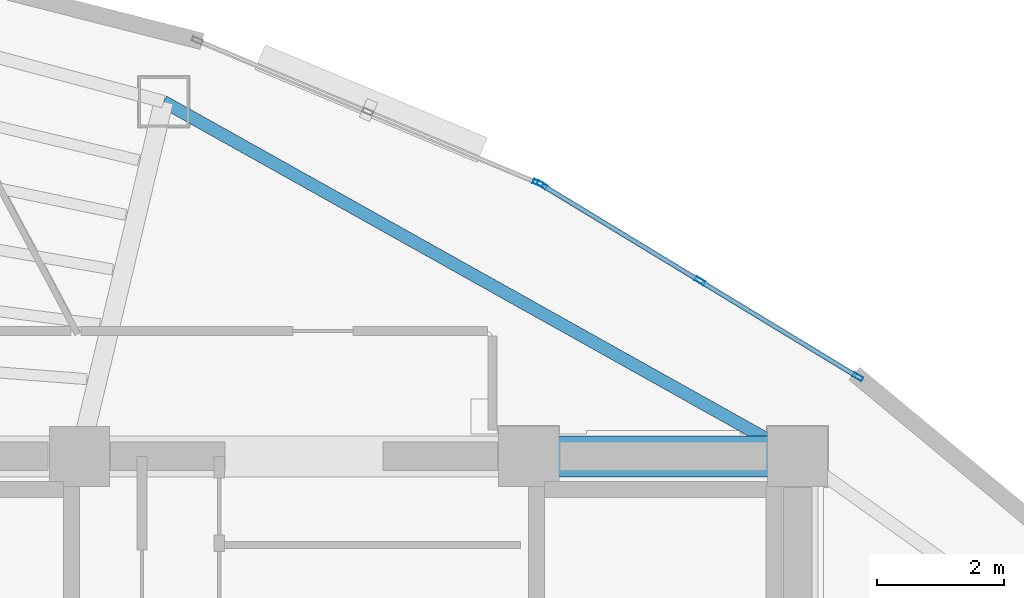
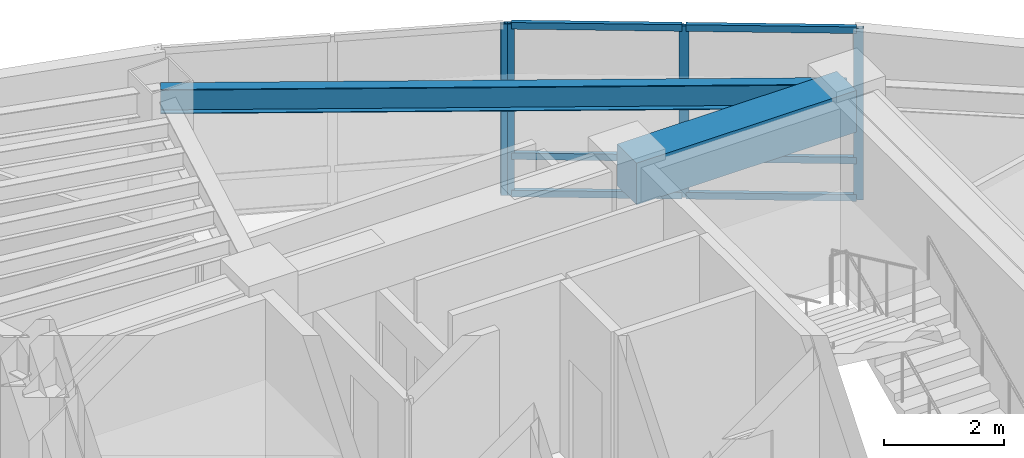
# One storey, part 10 of 15: 10 members, 2 beams, 2 elements without a shape of their own.
"""IFC4 building model written with IfcOpenShell, lengths in metres."""

import ifcopenshell
import ifcopenshell.guid

model = None  # the IFC model being written
_history = None  # IfcOwnerHistory: only IFC2X3 demands one
_inside = {}  # id of a spatial element -> (the spatial element, [elements in it])
_under = {}  # id of a project, library or spatial element -> (it, [spatial elements below it])
_declared = {}  # id of a project -> (the project, [libraries it declares])
_typed = {}  # id of a type object -> (the type object, [elements of that type])
_made_of = {}  # id of a material, layer set ... -> (it, [elements and type objects made of it])


def new_model(schema):
    """Start an empty IFC model of exactly this schema.

    Asked for "IFC4X3", IfcOpenShell would pick the latest addendum, in which some entities
    have other attributes; the version numbers below select the first issue.
    IFC2X3 requires an IfcOwnerHistory on every rooted entity: one is made here for all.
    """
    global model, _history
    if schema == "IFC4X3":
        model = ifcopenshell.file(schema_version=(4, 3, 0, 0))
    else:
        model = ifcopenshell.file(schema=schema)
    _inside.clear()
    _under.clear()
    _declared.clear()
    _typed.clear()
    _made_of.clear()
    _history = None
    if model.schema == "IFC2X3":
        org = make("IfcOrganization", Name="unknown")
        user = make(
            "IfcPersonAndOrganization",
            ThePerson=make("IfcPerson", FamilyName="unknown"),
            TheOrganization=org,
        )
        app = make(
            "IfcApplication",
            ApplicationDeveloper=org,
            Version="unknown",
            ApplicationFullName="unknown",
            ApplicationIdentifier="unknown",
        )
        _history = make(
            "IfcOwnerHistory",
            OwningUser=user,
            OwningApplication=app,
            ChangeAction="ADDED",
            CreationDate=0,
        )
    return model


def make(cls, **values):
    """One entity of the class cls with the attributes given. An attribute that is None is left unset."""
    return model.create_entity(
        cls, **{name: value for name, value in values.items() if value is not None}
    )


def rooted(cls, **values):
    """An entity with a GlobalId (a new one), such as an element, a storey or a relation."""
    return make(cls, GlobalId=ifcopenshell.guid.new(), OwnerHistory=_history, **values)


def si_unit(unit_type, name, prefix=None):
    """IfcSIUnit, for example si_unit("LENGTHUNIT", "METRE", prefix="MILLI")."""
    return make("IfcSIUnit", UnitType=unit_type, Prefix=prefix, Name=name)


def assignment(units):
    """IfcUnitAssignment: the units of a project."""
    return None if units is None else make("IfcUnitAssignment", Units=units)


def point(xyz):
    """IfcCartesianPoint."""
    return None if xyz is None else make("IfcCartesianPoint", Coordinates=xyz)


def direction(xyz):
    """IfcDirection."""
    return None if xyz is None else make("IfcDirection", DirectionRatios=xyz)


def frame(location, z_axis=None, x_axis=None):
    """IfcAxis2Placement3D, a coordinate frame: its origin and axes. An axis left out is left unset."""
    return make(
        "IfcAxis2Placement3D",
        Location=point(location),
        Axis=direction(z_axis),
        RefDirection=direction(x_axis),
    )


def frame_2d(location, x_axis=None):
    """IfcAxis2Placement2D, a coordinate frame in the plane: its origin and x axis."""
    return make(
        "IfcAxis2Placement2D", Location=point(location), RefDirection=direction(x_axis)
    )


def origin():
    """The frame at (0, 0, 0) with its axes left unset."""
    return frame((0.0, 0.0, 0.0))


def origin_2d():
    """The frame at (0, 0) in the plane with its x axis left unset."""
    return frame_2d((0.0, 0.0))


def place(relative_to, where):
    """IfcLocalPlacement: puts the frame where relative to a parent placement (None: the world)."""
    return make(
        "IfcLocalPlacement", PlacementRelTo=relative_to, RelativePlacement=where
    )


def context(
    kind, dimensions, precision=None, world=None, true_north=None, identifier=None
):
    """IfcGeometricRepresentationContext, for example the 3D "Model" context."""
    return make(
        "IfcGeometricRepresentationContext",
        ContextIdentifier=identifier,
        ContextType=kind,
        CoordinateSpaceDimension=dimensions,
        Precision=precision,
        WorldCoordinateSystem=world,
        TrueNorth=true_north,
    )


def subcontext(parent, identifier, kind, view, scale=None):
    """IfcGeometricRepresentationSubContext, for example "Body" below "Model"."""
    return make(
        "IfcGeometricRepresentationSubContext",
        ContextIdentifier=identifier,
        ContextType=kind,
        ParentContext=parent,
        TargetScale=scale,
        TargetView=view,
    )


def project(units=None, contexts=None):
    """IfcProject with its units and contexts."""
    return rooted(
        "IfcProject",
        Name="project",
        RepresentationContexts=contexts,
        UnitsInContext=assignment(units),
    )


def spatial(cls, under=None, at=None, **own):
    """A site, building, storey or space (cls), placed at a placement, below another one or the project."""
    s = rooted(cls, ObjectPlacement=at, **own)
    if under is not None:
        _under.setdefault(under.id(), (under, []))[1].append(s)
    return s


def profile(cls, at=None, kind="AREA", **sizes):
    """A parametric profile (cls). Its sizes go by their IFC names, for example OverallWidth=200.0."""
    return make(cls, ProfileType=kind, Position=at, **sizes)


def rectangle(**sizes):
    """IfcRectangleProfileDef."""
    return profile("IfcRectangleProfileDef", **sizes)


def hollow_rectangle(**sizes):
    """IfcRectangleHollowProfileDef."""
    return profile("IfcRectangleHollowProfileDef", **sizes)


def i_section(**sizes):
    """IfcIShapeProfileDef."""
    return profile("IfcIShapeProfileDef", **sizes)


def extrude(swept, where, along, depth):
    """IfcExtrudedAreaSolid: the profile swept, set in the frame where, extruded along a direction by depth."""
    return make(
        "IfcExtrudedAreaSolid",
        SweptArea=swept,
        Position=where,
        ExtrudedDirection=direction(along),
        Depth=depth,
    )


def shape(context_of_items, identifier, shape_type, items):
    """IfcShapeRepresentation: the items that make up one representation, for example the "Body"."""
    return make(
        "IfcShapeRepresentation",
        ContextOfItems=context_of_items,
        RepresentationIdentifier=identifier,
        RepresentationType=shape_type,
        Items=items,
    )


def material(Name=None, Category=None):
    """IfcMaterial."""
    return make("IfcMaterial", Name=Name, Category=Category)


def layer(
    of_material, thickness, ventilated=None, Name=None, Category=None, Priority=None
):
    """IfcMaterialLayer: one layer of a wall or slab, of a material (None: an air gap)."""
    return make(
        "IfcMaterialLayer",
        Material=of_material,
        LayerThickness=thickness,
        IsVentilated=ventilated,
        Name=Name,
        Category=Category,
        Priority=Priority,
    )


def layer_set(layers, Name=None):
    """IfcMaterialLayerSet."""
    return make("IfcMaterialLayerSet", MaterialLayers=layers, LayerSetName=Name)


def material_profile(
    of_material, cross_section, Name=None, Category=None, Priority=None
):
    """IfcMaterialProfile: a cross section and its material."""
    return make(
        "IfcMaterialProfile",
        Name=Name,
        Material=of_material,
        Profile=cross_section,
        Priority=Priority,
        Category=Category,
    )


def profile_set(profiles, Name=None, composite=None):
    """IfcMaterialProfileSet."""
    return make(
        "IfcMaterialProfileSet",
        Name=Name,
        MaterialProfiles=profiles,
        CompositeProfile=composite,
    )


def made_of(thing, what):
    """Note that an element or type object is made of a material, layer set ...; save() writes the relation."""
    if what is not None:
        _made_of.setdefault(what.id(), (what, []))[1].append(thing)
    return thing


def type_object(cls, material=None, **own):
    """A type object (cls), such as IfcWallType, which elements share."""
    return made_of(rooted(cls, **own), material)


def element(
    cls,
    number,
    at=None,
    inside=None,
    cuts=None,
    type_object=None,
    material=None,
    context=None,
    identifier="Body",
    shape_type=None,
    held_by="IfcProductDefinitionShape",
    body=None,
    shapes=None,
    **own,
):
    """One element of the class cls, such as IfcWall. Its Tag is "e" and its number.

    at: its placement. inside: the storey or other place that contains it. cuts: it is an
    opening in that element (IfcRelVoidsElement). A single representation is given by context,
    identifier, shape_type and body (its items); several are given by shapes. held_by: the class
    of the entity that holds the representations. save() writes the other relations.
    """
    e = rooted(cls, Tag="e%d" % number, ObjectPlacement=at, **own)
    if body is not None:
        shapes = [shape(context, identifier, shape_type, body)]
    if shapes is not None:
        e.Representation = make(held_by, Representations=shapes)
    if inside is not None:
        _inside.setdefault(inside.id(), (inside, []))[1].append(e)
    if cuts is not None:
        rooted(
            "IfcRelVoidsElement", RelatingBuildingElement=cuts, RelatedOpeningElement=e
        )
    if type_object is not None:
        _typed.setdefault(type_object.id(), (type_object, []))[1].append(e)
    return made_of(e, material)


def aggregate(whole, parts):
    """IfcRelAggregates: a whole, such as a stair, and the parts it consists of."""
    return rooted("IfcRelAggregates", RelatingObject=whole, RelatedObjects=parts)


def save(model, path):
    """Write the relations noted so far, then the file.

    IfcRelAggregates (storeys below a building ...), IfcRelContainedInSpatialStructure (elements
    in a storey), IfcRelDefinesByType, IfcRelAssociatesMaterial and IfcRelDeclares: one each for
    every whole, place, type object, material and project.
    """
    for whole, parts in _under.values():
        aggregate(whole, parts)
    for where, things in _inside.values():
        rooted(
            "IfcRelContainedInSpatialStructure",
            RelatedElements=things,
            RelatingStructure=where,
        )
    for kind, things in _typed.values():
        rooted("IfcRelDefinesByType", RelatedObjects=things, RelatingType=kind)
    for what, things in _made_of.values():
        rooted("IfcRelAssociatesMaterial", RelatedObjects=things, RelatingMaterial=what)
    for by, libraries in _declared.values():
        rooted("IfcRelDeclares", RelatingContext=by, RelatedDefinitions=libraries)
    model.write(path)


model = new_model("IFC4")

# Units and contexts
model_context = context("Model", 3, precision=1e-05, world=origin(), true_north=direction((0.0, 1.0)))
body_context = subcontext(model_context, "Body", "Model", "MODEL_VIEW")
ifc_project = project(units=[si_unit("LENGTHUNIT", "METRE"), si_unit("AREAUNIT", "SQUARE_METRE"), si_unit("VOLUMEUNIT", "CUBIC_METRE"), si_unit("PLANEANGLEUNIT", "RADIAN"), si_unit("MASSUNIT", "GRAM", prefix="KILO")], contexts=[model_context])

# Site, building, storey
site_placement = place(None, origin())
site = spatial("IfcSite", under=ifc_project, at=site_placement, CompositionType="ELEMENT")
building_placement = place(site_placement, origin())
building = spatial("IfcBuilding", under=site, at=building_placement, Name="Menara Vayukalpa", CompositionType="ELEMENT")
storey_placement = place(building_placement, frame((0.0, 0.0, 250.860107421875)))
storey = spatial("IfcBuildingStorey", under=building, at=storey_placement, Name="L63", CompositionType="ELEMENT", Elevation=250.860107421875)

# Beams
ifc_material_1 = material(Name="Concrete C60/75", Category="concrete")
ifc_material_profile_1 = material_profile(ifc_material_1, rectangle(XDim=0.64990234375, YDim=0.85009765625, at=origin_2d()), Name="RC 650x850")
ifc_profile_set_1 = profile_set([ifc_material_profile_1], Name="Concrete C60/75")
beam_type_1 = type_object("IfcBeamType", Name="BM-CB1", PredefinedType="BEAM", material=ifc_profile_set_1)
beam_1_placement = place(storey_placement, frame((29.14990234375, 26.800048828125, 3.074951171875), z_axis=(1.0, 0.0, 0.0), x_axis=(0.0, 1.0, 0.0)))
element("IfcBeam", 1, at=beam_1_placement, inside=storey, type_object=beam_type_1, Name="L63 Core Tie Beam CBR6", PredefinedType="BEAM", context=body_context, shape_type="SweptSolid", body=[
    extrude(rectangle(XDim=0.64990234375, YDim=0.85009765625, at=origin_2d()), origin(), (0.0, 0.0, 1.0), 4.25),
])
ifc_material_2 = material(Name="Steel S355", Category="steel")
ifc_material_profile_2 = material_profile(ifc_material_2, i_section(OverallWidth=0.199951171875, OverallDepth=0.5, WebThickness=0.010009765625, FlangeThickness=0.01611328125, at=origin_2d()), Name="WF 500x200x10x16")
ifc_profile_set_2 = profile_set([ifc_material_profile_2], Name="Steel S355")
beam_type_2 = type_object("IfcBeamType", Name="BM-SP3", PredefinedType="SPANDREL", material=ifc_profile_set_2)
beam_2_placement = place(storey_placement, frame((33.39990234375, 26.800048828125, 3.25), z_axis=(-0.87270577288, 0.48824648896, 0.0), x_axis=(-0.48824648896, -0.87270577288, 0.0)))
element("IfcBeam", 2, at=beam_2_placement, inside=storey, type_object=beam_type_2, Name="L63 Perimeter Spandrel Beam SP02", PredefinedType="SPANDREL", context=body_context, shape_type="SweptSolid", body=[
    extrude(i_section(OverallWidth=0.199951171875, OverallDepth=0.5, WebThickness=0.010009765625, FlangeThickness=0.01611328125, at=origin_2d()), origin(), (0.0, 0.0, 1.0), 11.479248046875),
])

# Curtain wall, members
ifc_material_3 = material(Name="Anodised Terracotta Aluminium Alloy 6063-T6", Category="masonry")
ifc_layer = layer(ifc_material_3, 0.1650390625)
ifc_layer_set = layer_set([ifc_layer], Name="Anodised Terracotta Aluminium Alloy 6063-T6")
curtain_wall_type = type_object("IfcCurtainWallType", Name="CW-CW6", PredefinedType="USERDEFINED", material=ifc_layer_set)
curtain_wall_1_placement = place(storey_placement, origin())
curtain_wall_1 = element("IfcCurtainWall", 3, at=curtain_wall_1_placement, inside=storey, type_object=curtain_wall_type, Name="L63 Observation and Executive Curtain Wall CW6 04", ObjectType="UNITISED", PredefinedType="USERDEFINED")
ifc_material_4 = material(Name="Anodised Terracotta Aluminium Alloy 6063-T6", Category="masonry")
ifc_material_profile_3 = material_profile(ifc_material_4, hollow_rectangle(XDim=0.070068359375, YDim=0.1650390625, WallThickness=0.00390625, at=origin_2d()), Name="ALU 70x165x4")
ifc_profile_set_3 = profile_set([ifc_material_profile_3], Name="Anodised Terracotta Aluminium Alloy 6063-T6")
member_type_1 = type_object("IfcMemberType", Name="CWM-CW6", PredefinedType="MULLION", material=ifc_profile_set_3)
member_1_placement = place(storey_placement, frame((34.35009765625, 28.056396484375, 0.0), z_axis=(0.0, 0.0, 1.0), x_axis=(-0.519175574558, -0.854667609532, 0.0)))
member_1 = element("IfcMember", 4, at=member_1_placement, type_object=member_type_1, Name="CW6 mullion 1", PredefinedType="MULLION", context=body_context, shape_type="SweptSolid", body=[
    extrude(hollow_rectangle(XDim=0.070068359375, YDim=0.1650390625, WallThickness=0.00390625, at=origin_2d()), origin(), (0.0, 0.0, 1.0), 3.5),
])
member_2_placement = place(storey_placement, frame((31.85546875, 29.57177734375, 0.0), z_axis=(0.0, 0.0, 1.0), x_axis=(-0.519175574558, -0.854667609532, 0.0)))
member_2 = element("IfcMember", 5, at=member_2_placement, type_object=member_type_1, Name="CW6 mullion 2", PredefinedType="MULLION", context=body_context, shape_type="SweptSolid", body=[
    extrude(hollow_rectangle(XDim=0.070068359375, YDim=0.1650390625, WallThickness=0.00390625, at=origin_2d()), origin(), (0.0, 0.0, 1.0), 3.5),
])
member_3_placement = place(storey_placement, frame((29.36083984375, 31.087158203125, 0.0), z_axis=(0.0, 0.0, 1.0), x_axis=(-0.519175574558, -0.854667609532, 0.0)))
member_3 = element("IfcMember", 6, at=member_3_placement, type_object=member_type_1, Name="CW6 mullion 3", PredefinedType="MULLION", context=body_context, shape_type="SweptSolid", body=[
    extrude(hollow_rectangle(XDim=0.070068359375, YDim=0.1650390625, WallThickness=0.00390625, at=origin_2d()), origin(), (0.0, 0.0, 1.0), 3.5),
])

# Curtain wall, member
curtain_wall_2_placement = place(storey_placement, origin())
curtain_wall_2 = element("IfcCurtainWall", 7, at=curtain_wall_2_placement, inside=storey, type_object=curtain_wall_type, Name="L63 Observation and Executive Curtain Wall CW6 05", ObjectType="UNITISED", PredefinedType="USERDEFINED")
member_4_placement = place(storey_placement, frame((29.298828125, 31.118896484375, 0.0), z_axis=(0.0, 0.0, 1.0), x_axis=(-0.385899911703, -0.922540653927, 0.0)))
member_4 = element("IfcMember", 8, at=member_4_placement, type_object=member_type_1, Name="CW6 mullion 1", PredefinedType="MULLION", context=body_context, shape_type="SweptSolid", body=[
    extrude(hollow_rectangle(XDim=0.070068359375, YDim=0.1650390625, WallThickness=0.00390625, at=origin_2d()), origin(), (0.0, 0.0, 1.0), 3.5),
])
aggregate(curtain_wall_2, [member_4])

# Member
ifc_material_5 = material(Name="Anodised Terracotta Aluminium Alloy 6063-T6", Category="masonry")
ifc_material_profile_4 = material_profile(ifc_material_5, hollow_rectangle(XDim=0.074951171875, YDim=0.135009765625, WallThickness=0.00390625, at=origin_2d()), Name="ALU 75x135x4")
ifc_profile_set_4 = profile_set([ifc_material_profile_4], Name="Anodised Terracotta Aluminium Alloy 6063-T6")
member_type_2 = type_object("IfcMemberType", Name="CWT-CW6", PredefinedType="USERDEFINED", material=ifc_profile_set_4)
member_5_placement = place(storey_placement, frame((34.320068359375, 28.07470703125, 0.037353515625), z_axis=(-0.854674800659, 0.519163736328, 0.0), x_axis=(-0.519163736328, -0.85467480066, 0.0)))
member_5 = element("IfcMember", 9, at=member_5_placement, type_object=member_type_2, Name="CW6 transom 1.1", ObjectType="TRANSOM", PredefinedType="USERDEFINED", context=body_context, shape_type="SweptSolid", body=[
    extrude(hollow_rectangle(XDim=0.074951171875, YDim=0.135009765625, WallThickness=0.00390625, at=origin_2d()), origin(), (0.0, 0.0, 1.0), 2.848876953125),
])

member_6_placement = place(storey_placement, frame((34.320068359375, 28.07470703125, 0.7998046875), z_axis=(-0.854674800659, 0.519163736328, 0.0), x_axis=(-0.519163736328, -0.85467480066, 0.0)))
member_6 = element("IfcMember", 10, at=member_6_placement, type_object=member_type_2, Name="CW6 transom 1.2", ObjectType="TRANSOM", PredefinedType="USERDEFINED", context=body_context, shape_type="SweptSolid", body=[
    extrude(hollow_rectangle(XDim=0.074951171875, YDim=0.135009765625, WallThickness=0.00390625, at=origin_2d()), origin(), (0.0, 0.0, 1.0), 2.848876953125),
])

member_7_placement = place(storey_placement, frame((34.320068359375, 28.07470703125, 3.46240234375), z_axis=(-0.854674800659, 0.519163736328, 0.0), x_axis=(-0.519163736328, -0.85467480066, 0.0)))
member_7 = element("IfcMember", 11, at=member_7_placement, type_object=member_type_2, Name="CW6 transom 1.3", ObjectType="TRANSOM", PredefinedType="USERDEFINED", context=body_context, shape_type="SweptSolid", body=[
    extrude(hollow_rectangle(XDim=0.074951171875, YDim=0.135009765625, WallThickness=0.00390625, at=origin_2d()), origin(), (0.0, 0.0, 1.0), 2.848876953125),
])

member_8_placement = place(storey_placement, frame((31.825439453125, 29.590087890625, 0.037353515625), z_axis=(-0.854689729536, 0.519139158825, 0.0), x_axis=(-0.519139158825, -0.854689729536, 0.0)))
member_8 = element("IfcMember", 12, at=member_8_placement, type_object=member_type_2, Name="CW6 transom 2.1", ObjectType="TRANSOM", PredefinedType="USERDEFINED", context=body_context, shape_type="SweptSolid", body=[
    extrude(hollow_rectangle(XDim=0.074951171875, YDim=0.135009765625, WallThickness=0.00390625, at=origin_2d()), origin(), (0.0, 0.0, 1.0), 2.848388671875),
])

member_9_placement = place(storey_placement, frame((31.825439453125, 29.590087890625, 0.7998046875), z_axis=(-0.854689729536, 0.519139158825, 0.0), x_axis=(-0.519139158825, -0.854689729536, 0.0)))
member_9 = element("IfcMember", 13, at=member_9_placement, type_object=member_type_2, Name="CW6 transom 2.2", ObjectType="TRANSOM", PredefinedType="USERDEFINED", context=body_context, shape_type="SweptSolid", body=[
    extrude(hollow_rectangle(XDim=0.074951171875, YDim=0.135009765625, WallThickness=0.00390625, at=origin_2d()), origin(), (0.0, 0.0, 1.0), 2.848388671875),
])

member_10_placement = place(storey_placement, frame((31.825439453125, 29.590087890625, 3.46240234375), z_axis=(-0.854689729536, 0.519139158825, 0.0), x_axis=(-0.519139158825, -0.854689729536, 0.0)))
member_10 = element("IfcMember", 14, at=member_10_placement, type_object=member_type_2, Name="CW6 transom 2.3", ObjectType="TRANSOM", PredefinedType="USERDEFINED", context=body_context, shape_type="SweptSolid", body=[
    extrude(hollow_rectangle(XDim=0.074951171875, YDim=0.135009765625, WallThickness=0.00390625, at=origin_2d()), origin(), (0.0, 0.0, 1.0), 2.848388671875),
])

aggregate(curtain_wall_1, [member_1, member_2, member_3, member_5, member_6, member_7, member_8, member_9, member_10])

save(model, "model.ifc")
